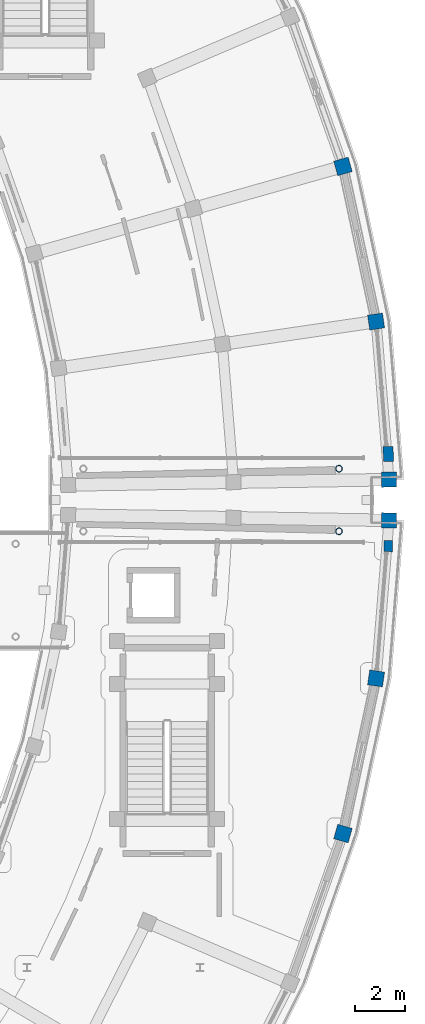
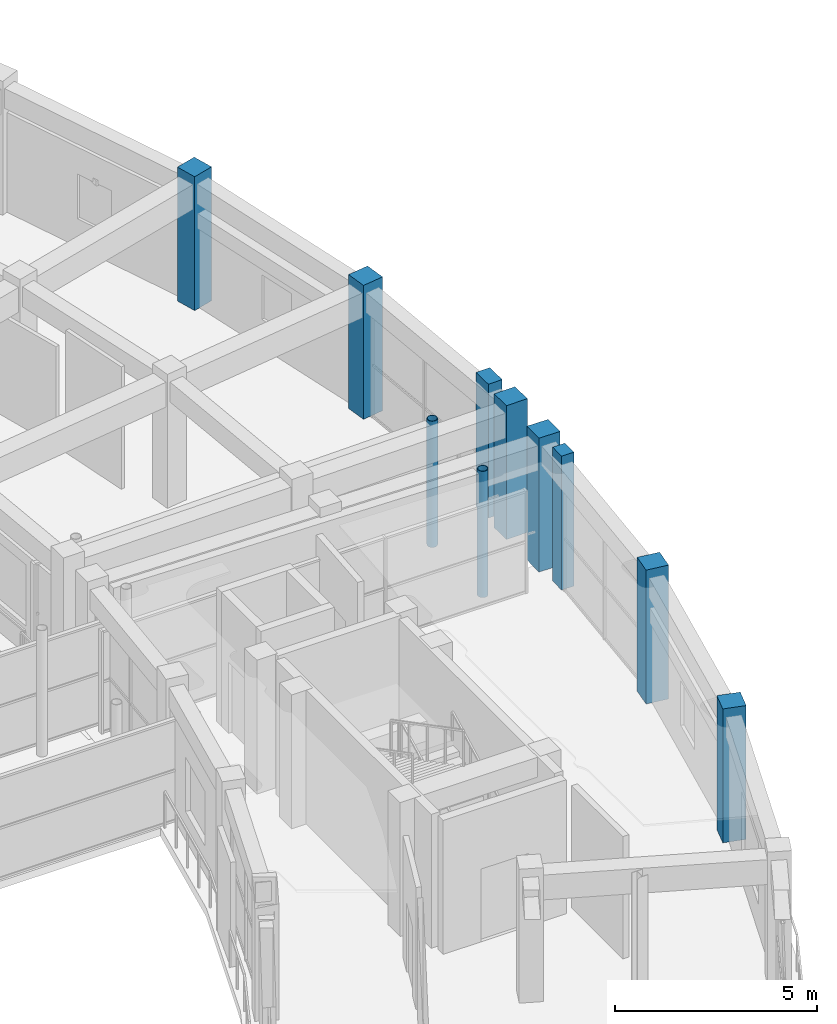
# One storey, part 8 of 70: 10 columns.
"""IFC4 building model written with IfcOpenShell, lengths in metres."""

import ifcopenshell
import ifcopenshell.guid

model = None  # the IFC model being written
_history = None  # IfcOwnerHistory: only IFC2X3 demands one
_inside = {}  # id of a spatial element -> (the spatial element, [elements in it])
_under = {}  # id of a project, library or spatial element -> (it, [spatial elements below it])
_declared = {}  # id of a project -> (the project, [libraries it declares])
_typed = {}  # id of a type object -> (the type object, [elements of that type])
_made_of = {}  # id of a material, layer set ... -> (it, [elements and type objects made of it])


def new_model(schema):
    """Start an empty IFC model of exactly this schema.

    Asked for "IFC4X3", IfcOpenShell would pick the latest addendum, in which some entities
    have other attributes; the version numbers below select the first issue.
    IFC2X3 requires an IfcOwnerHistory on every rooted entity: one is made here for all.
    """
    global model, _history
    if schema == "IFC4X3":
        model = ifcopenshell.file(schema_version=(4, 3, 0, 0))
    else:
        model = ifcopenshell.file(schema=schema)
    _inside.clear()
    _under.clear()
    _declared.clear()
    _typed.clear()
    _made_of.clear()
    _history = None
    if model.schema == "IFC2X3":
        org = make("IfcOrganization", Name="unknown")
        user = make(
            "IfcPersonAndOrganization",
            ThePerson=make("IfcPerson", FamilyName="unknown"),
            TheOrganization=org,
        )
        app = make(
            "IfcApplication",
            ApplicationDeveloper=org,
            Version="unknown",
            ApplicationFullName="unknown",
            ApplicationIdentifier="unknown",
        )
        _history = make(
            "IfcOwnerHistory",
            OwningUser=user,
            OwningApplication=app,
            ChangeAction="ADDED",
            CreationDate=0,
        )
    return model


def make(cls, **values):
    """One entity of the class cls with the attributes given. An attribute that is None is left unset."""
    return model.create_entity(
        cls, **{name: value for name, value in values.items() if value is not None}
    )


def rooted(cls, **values):
    """An entity with a GlobalId (a new one), such as an element, a storey or a relation."""
    return make(cls, GlobalId=ifcopenshell.guid.new(), OwnerHistory=_history, **values)


def si_unit(unit_type, name, prefix=None):
    """IfcSIUnit, for example si_unit("LENGTHUNIT", "METRE", prefix="MILLI")."""
    return make("IfcSIUnit", UnitType=unit_type, Prefix=prefix, Name=name)


def assignment(units):
    """IfcUnitAssignment: the units of a project."""
    return None if units is None else make("IfcUnitAssignment", Units=units)


def point(xyz):
    """IfcCartesianPoint."""
    return None if xyz is None else make("IfcCartesianPoint", Coordinates=xyz)


def direction(xyz):
    """IfcDirection."""
    return None if xyz is None else make("IfcDirection", DirectionRatios=xyz)


def frame(location, z_axis=None, x_axis=None):
    """IfcAxis2Placement3D, a coordinate frame: its origin and axes. An axis left out is left unset."""
    return make(
        "IfcAxis2Placement3D",
        Location=point(location),
        Axis=direction(z_axis),
        RefDirection=direction(x_axis),
    )


def frame_2d(location, x_axis=None):
    """IfcAxis2Placement2D, a coordinate frame in the plane: its origin and x axis."""
    return make(
        "IfcAxis2Placement2D", Location=point(location), RefDirection=direction(x_axis)
    )


def origin():
    """The frame at (0, 0, 0) with its axes left unset."""
    return frame((0.0, 0.0, 0.0))


def origin_2d():
    """The frame at (0, 0) in the plane with its x axis left unset."""
    return frame_2d((0.0, 0.0))


def place(relative_to, where):
    """IfcLocalPlacement: puts the frame where relative to a parent placement (None: the world)."""
    return make(
        "IfcLocalPlacement", PlacementRelTo=relative_to, RelativePlacement=where
    )


def context(
    kind, dimensions, precision=None, world=None, true_north=None, identifier=None
):
    """IfcGeometricRepresentationContext, for example the 3D "Model" context."""
    return make(
        "IfcGeometricRepresentationContext",
        ContextIdentifier=identifier,
        ContextType=kind,
        CoordinateSpaceDimension=dimensions,
        Precision=precision,
        WorldCoordinateSystem=world,
        TrueNorth=true_north,
    )


def subcontext(parent, identifier, kind, view, scale=None):
    """IfcGeometricRepresentationSubContext, for example "Body" below "Model"."""
    return make(
        "IfcGeometricRepresentationSubContext",
        ContextIdentifier=identifier,
        ContextType=kind,
        ParentContext=parent,
        TargetScale=scale,
        TargetView=view,
    )


def project(units=None, contexts=None):
    """IfcProject with its units and contexts."""
    return rooted(
        "IfcProject",
        Name="project",
        RepresentationContexts=contexts,
        UnitsInContext=assignment(units),
    )


def spatial(cls, under=None, at=None, **own):
    """A site, building, storey or space (cls), placed at a placement, below another one or the project."""
    s = rooted(cls, ObjectPlacement=at, **own)
    if under is not None:
        _under.setdefault(under.id(), (under, []))[1].append(s)
    return s


def profile(cls, at=None, kind="AREA", **sizes):
    """A parametric profile (cls). Its sizes go by their IFC names, for example OverallWidth=200.0."""
    return make(cls, ProfileType=kind, Position=at, **sizes)


def rectangle(**sizes):
    """IfcRectangleProfileDef."""
    return profile("IfcRectangleProfileDef", **sizes)


def hollow_circle(**sizes):
    """IfcCircleHollowProfileDef."""
    return profile("IfcCircleHollowProfileDef", **sizes)


def extrude(swept, where, along, depth):
    """IfcExtrudedAreaSolid: the profile swept, set in the frame where, extruded along a direction by depth."""
    return make(
        "IfcExtrudedAreaSolid",
        SweptArea=swept,
        Position=where,
        ExtrudedDirection=direction(along),
        Depth=depth,
    )


def shape(context_of_items, identifier, shape_type, items):
    """IfcShapeRepresentation: the items that make up one representation, for example the "Body"."""
    return make(
        "IfcShapeRepresentation",
        ContextOfItems=context_of_items,
        RepresentationIdentifier=identifier,
        RepresentationType=shape_type,
        Items=items,
    )


def material(Name=None, Category=None):
    """IfcMaterial."""
    return make("IfcMaterial", Name=Name, Category=Category)


def material_profile(
    of_material, cross_section, Name=None, Category=None, Priority=None
):
    """IfcMaterialProfile: a cross section and its material."""
    return make(
        "IfcMaterialProfile",
        Name=Name,
        Material=of_material,
        Profile=cross_section,
        Priority=Priority,
        Category=Category,
    )


def profile_set(profiles, Name=None, composite=None):
    """IfcMaterialProfileSet."""
    return make(
        "IfcMaterialProfileSet",
        Name=Name,
        MaterialProfiles=profiles,
        CompositeProfile=composite,
    )


def made_of(thing, what):
    """Note that an element or type object is made of a material, layer set ...; save() writes the relation."""
    if what is not None:
        _made_of.setdefault(what.id(), (what, []))[1].append(thing)
    return thing


def type_object(cls, material=None, **own):
    """A type object (cls), such as IfcWallType, which elements share."""
    return made_of(rooted(cls, **own), material)


def element(
    cls,
    number,
    at=None,
    inside=None,
    cuts=None,
    type_object=None,
    material=None,
    context=None,
    identifier="Body",
    shape_type=None,
    held_by="IfcProductDefinitionShape",
    body=None,
    shapes=None,
    **own,
):
    """One element of the class cls, such as IfcWall. Its Tag is "e" and its number.

    at: its placement. inside: the storey or other place that contains it. cuts: it is an
    opening in that element (IfcRelVoidsElement). A single representation is given by context,
    identifier, shape_type and body (its items); several are given by shapes. held_by: the class
    of the entity that holds the representations. save() writes the other relations.
    """
    e = rooted(cls, Tag="e%d" % number, ObjectPlacement=at, **own)
    if body is not None:
        shapes = [shape(context, identifier, shape_type, body)]
    if shapes is not None:
        e.Representation = make(held_by, Representations=shapes)
    if inside is not None:
        _inside.setdefault(inside.id(), (inside, []))[1].append(e)
    if cuts is not None:
        rooted(
            "IfcRelVoidsElement", RelatingBuildingElement=cuts, RelatedOpeningElement=e
        )
    if type_object is not None:
        _typed.setdefault(type_object.id(), (type_object, []))[1].append(e)
    return made_of(e, material)


def aggregate(whole, parts):
    """IfcRelAggregates: a whole, such as a stair, and the parts it consists of."""
    return rooted("IfcRelAggregates", RelatingObject=whole, RelatedObjects=parts)


def save(model, path):
    """Write the relations noted so far, then the file.

    IfcRelAggregates (storeys below a building ...), IfcRelContainedInSpatialStructure (elements
    in a storey), IfcRelDefinesByType, IfcRelAssociatesMaterial and IfcRelDeclares: one each for
    every whole, place, type object, material and project.
    """
    for whole, parts in _under.values():
        aggregate(whole, parts)
    for where, things in _inside.values():
        rooted(
            "IfcRelContainedInSpatialStructure",
            RelatedElements=things,
            RelatingStructure=where,
        )
    for kind, things in _typed.values():
        rooted("IfcRelDefinesByType", RelatedObjects=things, RelatingType=kind)
    for what, things in _made_of.values():
        rooted("IfcRelAssociatesMaterial", RelatedObjects=things, RelatingMaterial=what)
    for by, libraries in _declared.values():
        rooted("IfcRelDeclares", RelatingContext=by, RelatedDefinitions=libraries)
    model.write(path)


model = new_model("IFC4")

# Units and contexts
model_context = context("Model", 3, precision=1e-05, world=origin(), true_north=direction((0.0, 1.0)))
body_context = subcontext(model_context, "Body", "Model", "MODEL_VIEW")
ifc_project = project(units=[si_unit("LENGTHUNIT", "METRE"), si_unit("AREAUNIT", "SQUARE_METRE"), si_unit("VOLUMEUNIT", "CUBIC_METRE"), si_unit("PLANEANGLEUNIT", "RADIAN"), si_unit("MASSUNIT", "GRAM", prefix="KILO")], contexts=[model_context])

# Site, building, storey
site_placement = place(None, origin())
site = spatial("IfcSite", under=ifc_project, at=site_placement, CompositionType="ELEMENT")
building_placement = place(site_placement, origin())
building = spatial("IfcBuilding", under=site, at=building_placement, Name="Saryqyr Civic Hall", CompositionType="ELEMENT")
storey_placement = place(building_placement, frame((0.0, 0.0, 13.199951171875)))
storey = spatial("IfcBuildingStorey", under=building, at=storey_placement, Name="L03", CompositionType="ELEMENT", Elevation=13.199951171875)

# Columns
ifc_material_1 = material(Name="Steel S355", Category="steel")
ifc_material_profile_1 = material_profile(ifc_material_1, hollow_circle(Radius=0.136474609375, WallThickness=0.01611328125, at=origin_2d()), Name="CHS 273x16")
ifc_profile_set_1 = profile_set([ifc_material_profile_1], Name="Steel S355")
column_type_1 = type_object("IfcColumnType", Name="STR-COL-CHS273-S355", PredefinedType="COLUMN", material=ifc_profile_set_1)
for number, where, z_axis, x_axis, name in (
    (1, (104.0, 82.75, 0.0), (0.0, 0.0, 1.0), (1.0, 0.0, 0.0), "Column BRCOL-BR-E-2-L03"),
    (2, (104.0, 85.25, 0.0), (0.0, 0.0, 1.0), (1.0, 0.0, 0.0), "Column BRCOL-BR-E-3-L03"),
):
    element("IfcColumn", number, at=place(storey_placement, frame(where, z_axis=z_axis, x_axis=x_axis)), inside=storey, type_object=column_type_1, Name=name, PredefinedType="COLUMN", context=body_context, shape_type="SweptSolid", body=[
        extrude(hollow_circle(Radius=0.136474609375, WallThickness=0.01611328125, at=origin_2d()), origin(), (0.0, 0.0, 1.0), 3.820068359375),
    ])
ifc_material_2 = material(Name="Concrete C40/50", Category="concrete")
ifc_material_profile_2 = material_profile(ifc_material_2, rectangle(XDim=0.60009765625, YDim=0.60009765625, at=origin_2d()), Name="RC 600x600")
ifc_profile_set_2 = profile_set([ifc_material_profile_2], Name="Concrete C40/50")
column_type_2 = type_object("IfcColumnType", Name="STR-COL-RC600-C40", PredefinedType="COLUMN", material=ifc_profile_set_2)
for number, where, z_axis, x_axis, name in (
    (3, (104.157958984375, 70.691162109375, 0.0), (0.0, 0.0, 1.0), (0.962407846499, -0.271608425858, 0.0), "Column V5-COL-OUT08-L03"),
    (4, (105.47998046875, 76.8798828125, 0.0), (0.0, 0.0, 1.0), (0.989374077068, -0.145392350643, 0.0), "Column V5-COL-OUT09-L03"),
    (5, (105.993408203125, 83.1875, 0.0), (0.0, 0.0, 1.0), (0.999862544538, -0.016579868188, 0.0), "Column V5-COL-OUT10-L03"),
    (6, (105.993408203125, 84.8125, 0.0), (0.0, 0.0, 1.0), (0.999862544538, 0.016579868188, 0.0), "Column V6-COL-OUT00-L03"),
    (7, (105.47998046875, 91.1201171875, 0.0), (0.0, 0.0, 1.0), (0.989399437751, 0.145219670077, 0.0), "Column V6-COL-OUT01-L03"),
    (8, (104.157958984375, 97.308837890625, 0.0), (0.0, 0.0, 1.0), (0.962407846499, 0.271608425858, 0.0), "Column V6-COL-OUT02-L03"),
):
    element("IfcColumn", number, at=place(storey_placement, frame(where, z_axis=z_axis, x_axis=x_axis)), inside=storey, type_object=column_type_2, Name=name, PredefinedType="COLUMN", context=body_context, shape_type="SweptSolid", body=[
        extrude(rectangle(XDim=0.60009765625, YDim=0.60009765625, at=origin_2d()), origin(), (0.0, 0.0, 1.0), 4.050048828125),
    ])
ifc_material_3 = material(Name="Concrete C35/45", Category="concrete")
ifc_material_profile_3 = material_profile(ifc_material_3, rectangle(XDim=0.35009765625, YDim=0.449951171875, at=origin_2d()), Name="RC 350x450")
ifc_profile_set_3 = profile_set([ifc_material_profile_3], Name="Concrete C35/45")
column_type_3 = type_object("IfcColumnType", Name="STR-PIL-RC350x450-EXT", PredefinedType="PILASTER", material=ifc_profile_set_3)
column_1_placement = place(storey_placement, frame((105.965576171875, 82.16162109375, 0.0), z_axis=(0.0, 0.0, 1.0), x_axis=(0.999862544538, -0.016579868188, 0.0)))
element("IfcColumn", 9, at=column_1_placement, inside=storey, type_object=column_type_3, Name="Column V5-PIL-10-L03", PredefinedType="PILASTER", context=body_context, shape_type="SweptSolid", body=[
    extrude(rectangle(XDim=0.35009765625, YDim=0.449951171875, at=origin_2d()), origin(), (0.0, 0.0, 1.0), 4.050048828125),
])
ifc_material_profile_4 = material_profile(ifc_material_2, rectangle(XDim=0.39990234375, YDim=0.60009765625, at=origin_2d()), Name="RC 400x600")
ifc_profile_set_4 = profile_set([ifc_material_profile_4], Name="Concrete C40/50")
column_type_4 = type_object("IfcColumnType", Name="STR-PIL-RC400x600-EXT", PredefinedType="PILASTER", material=ifc_profile_set_4)
column_2_placement = place(storey_placement, frame((105.965576171875, 85.83837890625, 0.0), z_axis=(0.0, 0.0, 1.0), x_axis=(0.999862544538, 0.016579868188, 0.0)))
element("IfcColumn", 10, at=column_2_placement, inside=storey, type_object=column_type_4, Name="Column V6-PIL-00-L03", PredefinedType="PILASTER", context=body_context, shape_type="SweptSolid", body=[
    extrude(rectangle(XDim=0.39990234375, YDim=0.60009765625, at=origin_2d()), origin(), (0.0, 0.0, 1.0), 4.050048828125),
])

save(model, "model.ifc")
